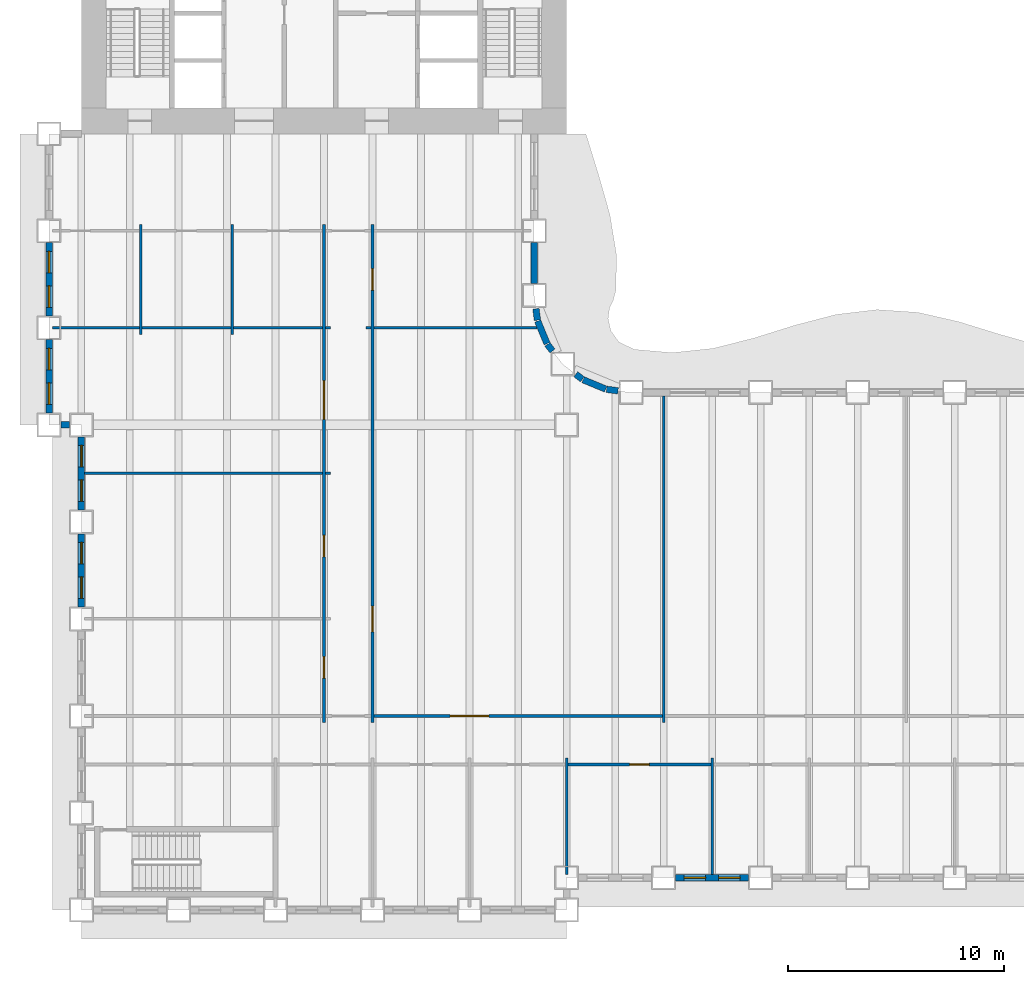
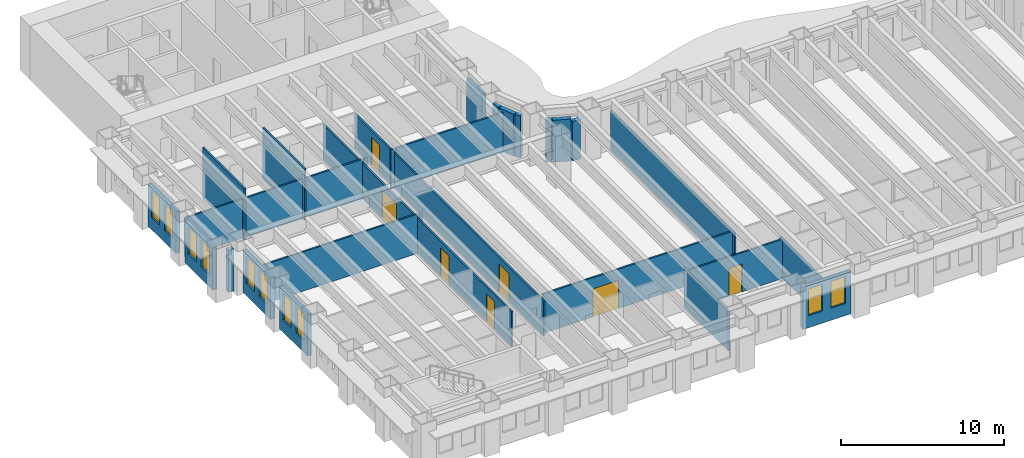
# One storey, part 4 of 16: 30 walls, 10 windows, 7 doors, 17 openings.
"""IFC4 building model written with IfcOpenShell, lengths in metres."""

from ifc_helpers import new_model, si_unit, direction, frame, frame_2d, origin, place, context, subcontext, project, spatial, rectangle, extrude, material, layer, layer_set, type_object, element, fill, save


model = new_model("IFC4")

# Units and contexts
model_context = context("Model", 3, precision=1e-05, world=origin(), true_north=direction((0.0, 1.0)))
body_context = subcontext(model_context, "Body", "Model", "MODEL_VIEW")
ifc_project = project(units=[si_unit("LENGTHUNIT", "METRE"), si_unit("AREAUNIT", "SQUARE_METRE"), si_unit("VOLUMEUNIT", "CUBIC_METRE"), si_unit("PLANEANGLEUNIT", "RADIAN"), si_unit("MASSUNIT", "GRAM", prefix="KILO")], contexts=[model_context])

# Site, building, storey
site_placement = place(None, origin())
site = spatial("IfcSite", under=ifc_project, at=site_placement, CompositionType="ELEMENT")
building_placement = place(site_placement, origin())
building = spatial("IfcBuilding", under=site, at=building_placement, Name="Sennacour Bend Tower", CompositionType="ELEMENT")
storey_placement = place(building_placement, frame((0.0, 0.0, 57.0)))
storey = spatial("IfcBuildingStorey", under=building, at=storey_placement, Name="L12", CompositionType="ELEMENT", Elevation=57.0)

# Walls
ifc_material_1 = material(Name="Plasterboard partition on steel studs", Category="steel")
ifc_layer_1 = layer(ifc_material_1, 0.1201171875, Name="Plasterboard partition on steel studs", Category="steel")
ifc_layer_set_1 = layer_set([ifc_layer_1], Name="Plasterboard partition on steel studs")
wall_type_1 = type_object("IfcWallType", Name="Partition 120", PredefinedType="PARTITIONING", material=ifc_layer_set_1)
for number, where, z_axis, x_axis, name in (
    (1, (2.75, 26.699951171875, 0.0), (0.0, 0.0, 1.0), (0.0, 1.0, 0.0), "P-L12-W004a"),
    (2, (7.0, 26.699951171875, 0.0), (0.0, 0.0, 1.0), (0.0, 1.0, 0.0), "P-L12-W008a"),
):
    element("IfcWall", number, at=place(storey_placement, frame(where, z_axis=z_axis, x_axis=x_axis)), inside=storey, type_object=wall_type_1, Name=name, PredefinedType="PARTITIONING", context=body_context, shape_type="SweptSolid", body=[
        extrude(rectangle(XDim=5.10009765625, YDim=0.1201171875, at=frame_2d((2.550048828125, 0.0))), origin(), (0.0, 0.0, 1.0), 3.85009765625),
    ])

# Wall, openings, doors
wall_1_placement = place(storey_placement, frame((11.25, 8.699951171875, 0.0), z_axis=(0.0, 0.0, 1.0), x_axis=(0.0, 1.0, 0.0)))
wall_1 = element("IfcWall", 3, at=wall_1_placement, inside=storey, type_object=wall_type_1, Name="P-L12-W013a", PredefinedType="PARTITIONING", context=body_context, shape_type="SweptSolid", body=[
    extrude(rectangle(XDim=23.10009765625, YDim=0.1201171875, at=frame_2d((11.550048828125, 0.0))), origin(), (0.0, 0.0, 1.0), 2.60009765625),
])
opening_1_placement = place(wall_1_placement, frame((2.050048828125, 0.0, 0.0)))
opening_1 = element("IfcOpeningElement", 4, at=opening_1_placement, cuts=wall_1, Name="Opening OD2", PredefinedType="OPENING", context=body_context, shape_type="SweptSolid", body=[
    extrude(rectangle(XDim=1.0, YDim=2.10009765625, at=frame_2d((0.5, 1.050048828125))), frame((0.0, 0.070068359375, 0.0), z_axis=(0.0, -1.0, 0.0), x_axis=(1.0, 0.0, 0.0)), (0.0, 0.0, 1.0), 0.14013671875),
])
opening_2_placement = place(wall_1_placement, frame((7.675048828125, 0.0, 0.0)))
opening_2 = element("IfcOpeningElement", 5, at=opening_2_placement, cuts=wall_1, Name="Opening OD2", PredefinedType="OPENING", context=body_context, shape_type="SweptSolid", body=[
    extrude(rectangle(XDim=1.0, YDim=2.10009765625, at=frame_2d((0.5, 1.050048828125))), frame((0.0, 0.070068359375, 0.0), z_axis=(0.0, -1.0, 0.0), x_axis=(1.0, 0.0, 0.0)), (0.0, 0.0, 1.0), 0.14013671875),
])
opening_3_placement = place(wall_1_placement, frame((14.054931640625, 0.0, 0.0)))
opening_3 = element("IfcOpeningElement", 6, at=opening_3_placement, cuts=wall_1, Name="Opening OD3", PredefinedType="OPENING", context=body_context, shape_type="SweptSolid", body=[
    extrude(rectangle(XDim=1.800048828125, YDim=2.10009765625, at=frame_2d((0.89990234375, 1.050048828125))), frame((0.0, 0.070068359375, 0.0), z_axis=(0.0, -1.0, 0.0), x_axis=(1.0, 0.0, 0.0)), (0.0, 0.0, 1.0), 0.14013671875),
])
ifc_material_2 = material(Name="Timber", Category="wood")
door_type_1 = type_object("IfcDoorType", Name="DR-OFFICE-1000", OperationType="NOTDEFINED", PredefinedType="DOOR", material=ifc_material_2)
door_1_placement = place(opening_1_placement, origin())
door_1 = element("IfcDoor", 7, at=door_1_placement, inside=storey, type_object=door_type_1, Name="Door", OperationType="SINGLE_SWING_LEFT", OverallHeight=2.10009765625, OverallWidth=1.0, PredefinedType="DOOR", context=body_context, shape_type="SweptSolid", body=[
    extrude(rectangle(XDim=1.0, YDim=2.10009765625, at=frame_2d((0.5, 1.050048828125))), frame((0.0, 0.02490234375, 0.0), z_axis=(0.0, -1.0, 0.0), x_axis=(1.0, 0.0, 0.0)), (0.0, 0.0, 1.0), 0.050048828125),
])
fill(opening_1, door_1)
door_2_placement = place(opening_2_placement, origin())
door_2 = element("IfcDoor", 8, at=door_2_placement, inside=storey, type_object=door_type_1, Name="Door", OperationType="SINGLE_SWING_LEFT", OverallHeight=2.10009765625, OverallWidth=1.0, PredefinedType="DOOR", context=body_context, shape_type="SweptSolid", body=[
    extrude(rectangle(XDim=1.0, YDim=2.10009765625, at=frame_2d((0.5, 1.050048828125))), frame((0.0, 0.02490234375, 0.0), z_axis=(0.0, -1.0, 0.0), x_axis=(1.0, 0.0, 0.0)), (0.0, 0.0, 1.0), 0.050048828125),
])
fill(opening_2, door_2)
door_type_2 = type_object("IfcDoorType", Name="DR-OFFICE-1800", OperationType="NOTDEFINED", PredefinedType="DOOR", material=ifc_material_2)
door_3_placement = place(opening_3_placement, origin())
door_3 = element("IfcDoor", 9, at=door_3_placement, inside=storey, type_object=door_type_2, Name="Door", OperationType="DOUBLE_DOOR_SINGLE_SWING", OverallHeight=2.10009765625, OverallWidth=1.800048828125, PredefinedType="DOOR", context=body_context, shape_type="SweptSolid", body=[
    extrude(rectangle(XDim=1.800048828125, YDim=2.10009765625, at=frame_2d((0.89990234375, 1.050048828125))), frame((0.0, 0.02490234375, 0.0), z_axis=(0.0, -1.0, 0.0), x_axis=(1.0, 0.0, 0.0)), (0.0, 0.0, 1.0), 0.050048828125),
])
fill(opening_3, door_3)

wall_2_placement = place(storey_placement, frame((13.5, 8.699951171875, 0.0), z_axis=(0.0, 0.0, 1.0), x_axis=(0.0, 1.0, 0.0)))
wall_2 = element("IfcWall", 10, at=wall_2_placement, inside=storey, type_object=wall_type_1, Name="P-L12-W016a", PredefinedType="PARTITIONING", context=body_context, shape_type="SweptSolid", body=[
    extrude(rectangle(XDim=23.10009765625, YDim=0.1201171875, at=frame_2d((11.550048828125, 0.0))), origin(), (0.0, 0.0, 1.0), 2.60009765625),
])
opening_4_placement = place(wall_2_placement, frame((20.050048828125, 0.0, 0.0)))
opening_4 = element("IfcOpeningElement", 11, at=opening_4_placement, cuts=wall_2, Name="Opening OD2", PredefinedType="OPENING", context=body_context, shape_type="SweptSolid", body=[
    extrude(rectangle(XDim=1.0, YDim=2.10009765625, at=frame_2d((0.5, 1.050048828125))), frame((0.0, 0.070068359375, 0.0), z_axis=(0.0, -1.0, 0.0), x_axis=(1.0, 0.0, 0.0)), (0.0, 0.0, 1.0), 0.14013671875),
])
opening_5_placement = place(wall_2_placement, frame((4.199951171875, 0.0, 0.0)))
opening_5 = element("IfcOpeningElement", 12, at=opening_5_placement, cuts=wall_2, Name="Opening MD", PredefinedType="OPENING", context=body_context, shape_type="SweptSolid", body=[
    extrude(rectangle(XDim=1.199951171875, YDim=2.10009765625, at=frame_2d((0.60009765625, 1.050048828125))), frame((0.0, 0.070068359375, 0.0), z_axis=(0.0, -1.0, 0.0), x_axis=(1.0, 0.0, 0.0)), (0.0, 0.0, 1.0), 0.14013671875),
])
door_type_3 = type_object("IfcDoorType", Name="DR-MEETING-1200", OperationType="NOTDEFINED", PredefinedType="DOOR", material=ifc_material_2)
door_4_placement = place(opening_5_placement, origin())
door_4 = element("IfcDoor", 13, at=door_4_placement, inside=storey, type_object=door_type_3, Name="Door", OperationType="SINGLE_SWING_LEFT", OverallHeight=2.10009765625, OverallWidth=1.199951171875, PredefinedType="DOOR", context=body_context, shape_type="SweptSolid", body=[
    extrude(rectangle(XDim=1.199951171875, YDim=2.10009765625, at=frame_2d((0.60009765625, 1.050048828125))), frame((0.0, 0.02490234375, 0.0), z_axis=(0.0, -1.0, 0.0), x_axis=(1.0, 0.0, 0.0)), (0.0, 0.0, 1.0), 0.050048828125),
])
fill(opening_5, door_4)
door_5_placement = place(opening_4_placement, origin())
door_5 = element("IfcDoor", 14, at=door_5_placement, inside=storey, type_object=door_type_1, Name="Door", OperationType="SINGLE_SWING_RIGHT", OverallHeight=2.10009765625, OverallWidth=1.0, PredefinedType="DOOR", context=body_context, shape_type="SweptSolid", body=[
    extrude(rectangle(XDim=1.0, YDim=2.10009765625, at=frame_2d((0.5, 1.050048828125))), frame((0.0, 0.02490234375, 0.0), z_axis=(0.0, -1.0, 0.0), x_axis=(1.0, 0.0, 0.0)), (0.0, 0.0, 1.0), 0.050048828125),
])
fill(opening_4, door_5)

# Walls
wall_3_placement = place(storey_placement, frame((22.5, 1.64990234375, 0.0), z_axis=(0.0, 0.0, 1.0), x_axis=(0.0, 1.0, 0.0)))
element("IfcWall", 15, at=wall_3_placement, inside=storey, type_object=wall_type_1, Name="P-L12-W026a", PredefinedType="PARTITIONING", context=body_context, shape_type="SweptSolid", body=[
    extrude(rectangle(XDim=5.400146484375, YDim=0.1201171875, at=frame_2d((2.7001953125, 0.0))), origin(), (0.0, 0.0, 1.0), 2.93798828125),
])
wall_4_placement = place(storey_placement, frame((27.0, 8.699951171875, 0.0), z_axis=(0.0, 0.0, 1.0), x_axis=(0.0, 1.0, 0.0)))
element("IfcWall", 16, at=wall_4_placement, inside=storey, type_object=wall_type_1, Name="P-L12-W027a", PredefinedType="PARTITIONING", context=body_context, shape_type="SweptSolid", body=[
    extrude(rectangle(XDim=15.150146484375, YDim=0.1201171875, at=frame_2d((7.5751953125, 0.0))), origin(), (0.0, 0.0, 1.0), 2.93798828125),
])
wall_5_placement = place(storey_placement, frame((29.25, 1.64990234375, 0.0), z_axis=(0.0, 0.0, 1.0), x_axis=(0.0, 1.0, 0.0)))
element("IfcWall", 17, at=wall_5_placement, inside=storey, type_object=wall_type_1, Name="P-L12-W028a", PredefinedType="PARTITIONING", context=body_context, shape_type="SweptSolid", body=[
    extrude(rectangle(XDim=5.400146484375, YDim=0.1201171875, at=frame_2d((2.7001953125, 0.0))), origin(), (0.0, 0.0, 1.0), 2.93798828125),
])

# Wall, opening, door
wall_6_placement = place(storey_placement, frame((13.56005859375, 9.0, 0.0), z_axis=(0.0, 0.0, 1.0), x_axis=(1.0, 0.0, 0.0)))
wall_6 = element("IfcWall", 18, at=wall_6_placement, inside=storey, type_object=wall_type_1, Name="P-L12-W058ac", PredefinedType="PARTITIONING", context=body_context, shape_type="SweptSolid", body=[
    extrude(rectangle(XDim=13.3798828125, YDim=0.1201171875, at=frame_2d((6.68994140625, 0.0))), origin(), (0.0, 0.0, 1.0), 2.93798828125),
])
opening_6_placement = place(wall_6_placement, frame((3.539794921875, 0.0, 0.0)))
opening_6 = element("IfcOpeningElement", 19, at=opening_6_placement, cuts=wall_6, Name="Opening MD3", PredefinedType="OPENING", context=body_context, shape_type="SweptSolid", body=[
    extrude(rectangle(XDim=1.800048828125, YDim=2.10009765625, at=frame_2d((0.89990234375, 1.050048828125))), frame((0.0, 0.070068359375, 0.0), z_axis=(0.0, -1.0, 0.0), x_axis=(1.0, 0.0, 0.0)), (0.0, 0.0, 1.0), 0.14013671875),
])
door_type_4 = type_object("IfcDoorType", Name="DR-MEETING-1800", OperationType="NOTDEFINED", PredefinedType="DOOR", material=ifc_material_2)
door_6_placement = place(opening_6_placement, origin())
door_6 = element("IfcDoor", 20, at=door_6_placement, inside=storey, type_object=door_type_4, Name="Door", OperationType="DOUBLE_DOOR_SINGLE_SWING", OverallHeight=2.10009765625, OverallWidth=1.800048828125, PredefinedType="DOOR", context=body_context, shape_type="SweptSolid", body=[
    extrude(rectangle(XDim=1.800048828125, YDim=2.10009765625, at=frame_2d((0.89990234375, 1.050048828125))), frame((0.0, 0.02490234375, 0.0), z_axis=(0.0, -1.0, 0.0), x_axis=(1.0, 0.0, 0.0)), (0.0, 0.0, 1.0), 0.050048828125),
])
fill(opening_6, door_6)

# Walls
wall_7_placement = place(storey_placement, frame((0.14990234375, 20.25, 0.0), z_axis=(0.0, 0.0, 1.0), x_axis=(1.0, 0.0, 0.0)))
element("IfcWall", 21, at=wall_7_placement, inside=storey, type_object=wall_type_1, Name="P-L12-W069aa", PredefinedType="PARTITIONING", context=body_context, shape_type="SweptSolid", body=[
    extrude(rectangle(XDim=11.0400390625, YDim=0.1201171875, at=frame_2d((5.52001953125, 0.0))), origin(), (0.0, 0.0, 1.0), 2.93798828125),
])
wall_8_placement = place(storey_placement, frame((11.31005859375, 20.25, 0.0), z_axis=(0.0, 0.0, 1.0), x_axis=(1.0, 0.0, 0.0)))
element("IfcWall", 22, at=wall_8_placement, inside=storey, type_object=wall_type_1, Name="P-L12-W069ab", PredefinedType="PARTITIONING", context=body_context, shape_type="SweptSolid", body=[
    extrude(rectangle(XDim=0.239990234375, YDim=0.1201171875, at=frame_2d((0.1201171875, 0.0))), origin(), (0.0, 0.0, 1.0), 2.93798828125),
])
wall_9_placement = place(storey_placement, frame((-1.35009765625, 27.0, 0.0), z_axis=(0.0, 0.0, 1.0), x_axis=(1.0, 0.0, 0.0)))
element("IfcWall", 23, at=wall_9_placement, inside=storey, type_object=wall_type_1, Name="P-L12-W071aa", PredefinedType="PARTITIONING", context=body_context, shape_type="SweptSolid", body=[
    extrude(rectangle(XDim=4.0400390625, YDim=0.1201171875, at=frame_2d((2.02001953125, 0.0))), origin(), (0.0, 0.0, 1.0), 2.93798828125),
])
for number, where, z_axis, x_axis, name in (
    (24, (2.81005859375, 27.0, 0.0), (0.0, 0.0, 1.0), (1.0, 0.0, 0.0), "P-L12-W071ab"),
    (25, (7.06005859375, 27.0, 0.0), (0.0, 0.0, 1.0), (1.0, 0.0, 0.0), "P-L12-W071ac"),
):
    element("IfcWall", number, at=place(storey_placement, frame(where, z_axis=z_axis, x_axis=x_axis)), inside=storey, type_object=wall_type_1, Name=name, PredefinedType="PARTITIONING", context=body_context, shape_type="SweptSolid", body=[
        extrude(rectangle(XDim=4.1298828125, YDim=0.1201171875, at=frame_2d((2.06494140625, 0.0))), origin(), (0.0, 0.0, 1.0), 2.93798828125),
    ])
for number, where, z_axis, x_axis, name in (
    (26, (11.31005859375, 27.0, 0.0), (0.0, 0.0, 1.0), (1.0, 0.0, 0.0), "P-L12-W071ad"),
    (27, (13.199951171875, 27.0, 0.0), (0.0, 0.0, 1.0), (1.0, 0.0, 0.0), "P-L12-W072aa"),
):
    element("IfcWall", number, at=place(storey_placement, frame(where, z_axis=z_axis, x_axis=x_axis)), inside=storey, type_object=wall_type_1, Name=name, PredefinedType="PARTITIONING", context=body_context, shape_type="SweptSolid", body=[
        extrude(rectangle(XDim=0.239990234375, YDim=0.1201171875, at=frame_2d((0.1201171875, 0.0))), origin(), (0.0, 0.0, 1.0), 2.93798828125),
    ])
wall_10_placement = place(storey_placement, frame((13.56005859375, 27.0, 0.0), z_axis=(0.0, 0.0, 1.0), x_axis=(1.0, 0.0, 0.0)))
element("IfcWall", 28, at=wall_10_placement, inside=storey, type_object=wall_type_1, Name="P-L12-W072ab", PredefinedType="PARTITIONING", context=body_context, shape_type="SweptSolid", body=[
    extrude(rectangle(XDim=7.56982421875, YDim=0.1201171875, at=frame_2d((3.784912109375, 0.0))), origin(), (0.0, 0.0, 1.0), 2.93798828125),
])

# Wall, opening, door
ifc_layer_2 = layer(ifc_material_1, 0.1201171875, Name="Plasterboard partition on steel studs", Category="steel")
ifc_layer_set_2 = layer_set([ifc_layer_2], Name="Plasterboard partition on steel studs")
wall_type_2 = type_object("IfcWallType", Name="Partition 120 EI 60", PredefinedType="PARTITIONING", material=ifc_layer_set_2)
wall_11_placement = place(storey_placement, frame((22.56005859375, 6.75, 0.0), z_axis=(0.0, 0.0, 1.0), x_axis=(1.0, 0.0, 0.0)))
wall_11 = element("IfcWall", 29, at=wall_11_placement, inside=storey, type_object=wall_type_2, Name="P-L12-W057ae", PredefinedType="PARTITIONING", context=body_context, shape_type="SweptSolid", body=[
    extrude(rectangle(XDim=6.6298828125, YDim=0.1201171875, at=frame_2d((3.31494140625, 0.0))), origin(), (0.0, 0.0, 1.0), 2.93798828125),
])
opening_7_placement = place(wall_11_placement, frame((2.864990234375, 0.0, 0.0)))
opening_7 = element("IfcOpeningElement", 30, at=opening_7_placement, cuts=wall_11, Name="Opening SV", PredefinedType="OPENING", context=body_context, shape_type="SweptSolid", body=[
    extrude(rectangle(XDim=0.89990234375, YDim=2.10009765625, at=frame_2d((0.449951171875, 1.050048828125))), frame((0.0, 0.070068359375, 0.0), z_axis=(0.0, -1.0, 0.0), x_axis=(1.0, 0.0, 0.0)), (0.0, 0.0, 1.0), 0.14013671875),
])
ifc_material_3 = material(Name="Painted steel", Category="steel")
door_type_5 = type_object("IfcDoorType", Name="DR-SERVICE-900", OperationType="NOTDEFINED", PredefinedType="DOOR", material=ifc_material_3)
door_7_placement = place(opening_7_placement, origin())
door_7 = element("IfcDoor", 31, at=door_7_placement, inside=storey, type_object=door_type_5, Name="Door", OperationType="SINGLE_SWING_LEFT", OverallHeight=2.10009765625, OverallWidth=0.89990234375, PredefinedType="DOOR", context=body_context, shape_type="SweptSolid", body=[
    extrude(rectangle(XDim=0.89990234375, YDim=2.10009765625, at=frame_2d((0.449951171875, 1.050048828125))), frame((0.0, 0.02490234375, 0.0), z_axis=(0.0, -1.0, 0.0), x_axis=(1.0, 0.0, 0.0)), (0.0, 0.0, 1.0), 0.050048828125),
])
fill(opening_7, door_7)

# Wall, openings, windows
ifc_material_4 = material(Name="Warm limestone cladding", Category="masonry")
ifc_layer_3 = layer(ifc_material_4, 0.050048828125, Name="Warm limestone cladding", Category="masonry")
ifc_material_5 = material(Name="Precast concrete C40/50", Category="concrete")
ifc_layer_4 = layer(ifc_material_5, 0.25, Name="Precast concrete C40/50", Category="concrete")
ifc_layer_set_3 = layer_set([ifc_layer_3, ifc_layer_4], Name="Precast concrete C40/50 with limestone cladding")
wall_type_3 = type_object("IfcWallType", Name="STONE-CLAD PRECAST SPANDREL 300", PredefinedType="STANDARD", material=ifc_layer_set_3)
wall_12_placement = place(storey_placement, frame((27.550048828125, 1.5, 0.0), z_axis=(0.0, 0.0, 1.0), x_axis=(1.0, 0.0, 0.0)))
wall_12 = element("IfcWall", 32, at=wall_12_placement, inside=storey, type_object=wall_type_3, Name="Stone spandrel and pier wall L12 02.01", PredefinedType="STANDARD", context=body_context, shape_type="SweptSolid", body=[
    extrude(rectangle(XDim=3.39990234375, YDim=0.300048828125, at=frame_2d((1.699951171875, 0.0))), origin(), (0.0, 0.0, 1.0), 3.14404296875),
])
opening_8_placement = place(wall_12_placement, frame((0.39990234375, 0.0, 0.89990234375)))
opening_8 = element("IfcOpeningElement", 33, at=opening_8_placement, cuts=wall_12, Name="Opening W8", PredefinedType="OPENING", context=body_context, shape_type="SweptSolid", body=[
    extrude(rectangle(XDim=1.0, YDim=2.0, at=frame_2d((0.5, 1.0))), frame((0.0, 0.16015625, 0.0), z_axis=(0.0, -1.0, 0.0), x_axis=(1.0, 0.0, 0.0)), (0.0, 0.0, 1.0), 0.320068359375),
])
opening_9_placement = place(wall_12_placement, frame((2.0, 0.0, 0.89990234375)))
opening_9 = element("IfcOpeningElement", 34, at=opening_9_placement, cuts=wall_12, Name="Opening W8", PredefinedType="OPENING", context=body_context, shape_type="SweptSolid", body=[
    extrude(rectangle(XDim=1.0, YDim=2.0, at=frame_2d((0.5, 1.0))), frame((0.0, 0.16015625, 0.0), z_axis=(0.0, -1.0, 0.0), x_axis=(1.0, 0.0, 0.0)), (0.0, 0.0, 1.0), 0.320068359375),
])
ifc_material_6 = material(Name="Clear low-emissivity glass", Category="glass")
window_type = type_object("IfcWindowType", Name="WIN-RIBBON-1000x2000", PartitioningType="SINGLE_PANEL", PredefinedType="WINDOW", material=ifc_material_6)
window_1_placement = place(opening_8_placement, origin())
window_1 = element("IfcWindow", 35, at=window_1_placement, inside=storey, type_object=window_type, Name="Ribbon window L12 02.01.0", OverallHeight=2.0, OverallWidth=1.0, PartitioningType="SINGLE_PANEL", PredefinedType="WINDOW", context=body_context, shape_type="SweptSolid", body=[
    extrude(rectangle(XDim=1.0, YDim=2.0, at=frame_2d((0.5, 1.0))), frame((0.0, 0.030029296875, 0.0), z_axis=(0.0, -1.0, 0.0), x_axis=(1.0, 0.0, 0.0)), (0.0, 0.0, 1.0), 0.06005859375),
])
fill(opening_8, window_1)
window_2_placement = place(opening_9_placement, origin())
window_2 = element("IfcWindow", 36, at=window_2_placement, inside=storey, type_object=window_type, Name="Ribbon window L12 02.01.1", OverallHeight=2.0, OverallWidth=1.0, PartitioningType="SINGLE_PANEL", PredefinedType="WINDOW", context=body_context, shape_type="SweptSolid", body=[
    extrude(rectangle(XDim=1.0, YDim=2.0, at=frame_2d((0.5, 1.0))), frame((0.0, 0.030029296875, 0.0), z_axis=(0.0, -1.0, 0.0), x_axis=(1.0, 0.0, 0.0)), (0.0, 0.0, 1.0), 0.06005859375),
])
fill(opening_9, window_2)

# Walls
wall_13_placement = place(storey_placement, frame((24.88818359375, 24.08056640625, 0.0), z_axis=(0.0, 0.0, 1.0), x_axis=(-0.991417173479, 0.130736330569, 0.0)))
element("IfcWall", 37, at=wall_13_placement, inside=storey, type_object=wall_type_3, Name="Stone spandrel and pier wall L12 09.00", PredefinedType="STANDARD", context=body_context, shape_type="SweptSolid", body=[
    extrude(rectangle(XDim=0.537841796875, YDim=0.300048828125, at=frame_2d((0.26904296875, 0.0))), origin(), (0.0, 0.0, 1.0), 2.93798828125),
])
wall_14_placement = place(storey_placement, frame((24.317138671875, 24.160888671875, 0.0), z_axis=(0.0, 0.0, 1.0), x_axis=(-0.923914616768, 0.382598720491, 0.0)))
element("IfcWall", 38, at=wall_14_placement, inside=storey, type_object=wall_type_3, Name="Stone spandrel and pier wall L12 10.00", PredefinedType="STANDARD", context=body_context, shape_type="SweptSolid", body=[
    extrude(rectangle(XDim=1.13525390625, YDim=0.300048828125, at=frame_2d((0.567626953125, 0.0))), origin(), (0.0, 0.0, 1.0), 3.14404296875),
])
for number, where, z_axis, x_axis, name in (
    (39, (23.234375, 24.614990234375, 0.0), (0.0, 0.0, 1.0), (-0.79354495224, 0.60851163405, 0.0), "Stone spandrel and pier wall L12 11.00"),
    (40, (21.8486328125, 25.9296875, 0.0), (0.0, 0.0, 1.0), (-0.60851163405, 0.79354495224, 0.0), "Stone spandrel and pier wall L12 12.00"),
):
    element("IfcWall", number, at=place(storey_placement, frame(where, z_axis=z_axis, x_axis=x_axis)), inside=storey, type_object=wall_type_3, Name=name, PredefinedType="STANDARD", context=body_context, shape_type="SweptSolid", body=[
        extrude(rectangle(XDim=0.384033203125, YDim=0.300048828125, at=frame_2d((0.19189453125, 0.0))), origin(), (0.0, 0.0, 1.0), 3.14404296875),
    ])
wall_15_placement = place(storey_placement, frame((21.59521484375, 26.268310546875, 0.0), z_axis=(0.0, 0.0, 1.0), x_axis=(-0.382598720491, 0.923914616768, 0.0)))
element("IfcWall", 41, at=wall_15_placement, inside=storey, type_object=wall_type_3, Name="Stone spandrel and pier wall L12 13.00", PredefinedType="STANDARD", context=body_context, shape_type="SweptSolid", body=[
    extrude(rectangle(XDim=1.13525390625, YDim=0.300048828125, at=frame_2d((0.567626953125, 0.0))), origin(), (0.0, 0.0, 1.0), 3.14404296875),
])
wall_16_placement = place(storey_placement, frame((21.15087890625, 27.35498046875, 0.0), z_axis=(0.0, 0.0, 1.0), x_axis=(-0.130736330569, 0.991417173479, 0.0)))
element("IfcWall", 42, at=wall_16_placement, inside=storey, type_object=wall_type_3, Name="Stone spandrel and pier wall L12 14.00", PredefinedType="STANDARD", context=body_context, shape_type="SweptSolid", body=[
    extrude(rectangle(XDim=0.537841796875, YDim=0.300048828125, at=frame_2d((0.26904296875, 0.0))), origin(), (0.0, 0.0, 1.0), 3.14404296875),
])
wall_17_placement = place(storey_placement, frame((21.0, 29.050048828125, 0.0), z_axis=(0.0, 0.0, 1.0), x_axis=(0.0, 1.0, 0.0)))
element("IfcWall", 43, at=wall_17_placement, inside=storey, type_object=wall_type_3, Name="Stone spandrel and pier wall L12 15.00", PredefinedType="STANDARD", context=body_context, shape_type="SweptSolid", body=[
    extrude(rectangle(XDim=1.89990234375, YDim=0.300048828125, at=frame_2d((0.949951171875, 0.0))), origin(), (0.0, 0.0, 1.0), 3.14404296875),
])

# Wall, openings, windows
wall_18_placement = place(storey_placement, frame((-1.5, 30.949951171875, 0.0), z_axis=(0.0, 0.0, 1.0), x_axis=(0.0, -1.0, 0.0)))
wall_18 = element("IfcWall", 44, at=wall_18_placement, inside=storey, type_object=wall_type_3, Name="Stone spandrel and pier wall L12 21.01", PredefinedType="STANDARD", context=body_context, shape_type="SweptSolid", body=[
    extrude(rectangle(XDim=3.39990234375, YDim=0.300048828125, at=frame_2d((1.699951171875, 0.0))), origin(), (0.0, 0.0, 1.0), 3.14404296875),
])
opening_10_placement = place(wall_18_placement, frame((0.39990234375, 0.0, 0.89990234375)))
opening_10 = element("IfcOpeningElement", 45, at=opening_10_placement, cuts=wall_18, Name="Opening W8", PredefinedType="OPENING", context=body_context, shape_type="SweptSolid", body=[
    extrude(rectangle(XDim=1.0, YDim=2.0, at=frame_2d((0.5, 1.0))), frame((0.0, 0.16015625, 0.0), z_axis=(0.0, -1.0, 0.0), x_axis=(1.0, 0.0, 0.0)), (0.0, 0.0, 1.0), 0.320068359375),
])
opening_11_placement = place(wall_18_placement, frame((2.0, 0.0, 0.89990234375)))
opening_11 = element("IfcOpeningElement", 46, at=opening_11_placement, cuts=wall_18, Name="Opening W8", PredefinedType="OPENING", context=body_context, shape_type="SweptSolid", body=[
    extrude(rectangle(XDim=1.0, YDim=2.0, at=frame_2d((0.5, 1.0))), frame((0.0, 0.16015625, 0.0), z_axis=(0.0, -1.0, 0.0), x_axis=(1.0, 0.0, 0.0)), (0.0, 0.0, 1.0), 0.320068359375),
])
window_3_placement = place(opening_10_placement, origin())
window_3 = element("IfcWindow", 47, at=window_3_placement, inside=storey, type_object=window_type, Name="Ribbon window L12 21.01.0", OverallHeight=2.0, OverallWidth=1.0, PartitioningType="SINGLE_PANEL", PredefinedType="WINDOW", context=body_context, shape_type="SweptSolid", body=[
    extrude(rectangle(XDim=1.0, YDim=2.0, at=frame_2d((0.5, 1.0))), frame((0.0, 0.030029296875, 0.0), z_axis=(0.0, -1.0, 0.0), x_axis=(1.0, 0.0, 0.0)), (0.0, 0.0, 1.0), 0.06005859375),
])
fill(opening_10, window_3)
window_4_placement = place(opening_11_placement, origin())
window_4 = element("IfcWindow", 48, at=window_4_placement, inside=storey, type_object=window_type, Name="Ribbon window L12 21.01.1", OverallHeight=2.0, OverallWidth=1.0, PartitioningType="SINGLE_PANEL", PredefinedType="WINDOW", context=body_context, shape_type="SweptSolid", body=[
    extrude(rectangle(XDim=1.0, YDim=2.0, at=frame_2d((0.5, 1.0))), frame((0.0, 0.030029296875, 0.0), z_axis=(0.0, -1.0, 0.0), x_axis=(1.0, 0.0, 0.0)), (0.0, 0.0, 1.0), 0.06005859375),
])
fill(opening_11, window_4)

wall_19_placement = place(storey_placement, frame((-1.5, 26.449951171875, 0.0), z_axis=(0.0, 0.0, 1.0), x_axis=(0.0, -1.0, 0.0)))
wall_19 = element("IfcWall", 49, at=wall_19_placement, inside=storey, type_object=wall_type_3, Name="Stone spandrel and pier wall L12 21.02", PredefinedType="STANDARD", context=body_context, shape_type="SweptSolid", body=[
    extrude(rectangle(XDim=3.39990234375, YDim=0.300048828125, at=frame_2d((1.699951171875, 0.0))), origin(), (0.0, 0.0, 1.0), 3.14404296875),
])
opening_12_placement = place(wall_19_placement, frame((0.39990234375, 0.0, 0.89990234375)))
opening_12 = element("IfcOpeningElement", 50, at=opening_12_placement, cuts=wall_19, Name="Opening W8", PredefinedType="OPENING", context=body_context, shape_type="SweptSolid", body=[
    extrude(rectangle(XDim=1.0, YDim=2.0, at=frame_2d((0.5, 1.0))), frame((0.0, 0.16015625, 0.0), z_axis=(0.0, -1.0, 0.0), x_axis=(1.0, 0.0, 0.0)), (0.0, 0.0, 1.0), 0.320068359375),
])
opening_13_placement = place(wall_19_placement, frame((2.0, 0.0, 0.89990234375)))
opening_13 = element("IfcOpeningElement", 51, at=opening_13_placement, cuts=wall_19, Name="Opening W8", PredefinedType="OPENING", context=body_context, shape_type="SweptSolid", body=[
    extrude(rectangle(XDim=1.0, YDim=2.0, at=frame_2d((0.5, 1.0))), frame((0.0, 0.16015625, 0.0), z_axis=(0.0, -1.0, 0.0), x_axis=(1.0, 0.0, 0.0)), (0.0, 0.0, 1.0), 0.320068359375),
])
window_5_placement = place(opening_12_placement, origin())
window_5 = element("IfcWindow", 52, at=window_5_placement, inside=storey, type_object=window_type, Name="Ribbon window L12 21.02.0", OverallHeight=2.0, OverallWidth=1.0, PartitioningType="SINGLE_PANEL", PredefinedType="WINDOW", context=body_context, shape_type="SweptSolid", body=[
    extrude(rectangle(XDim=1.0, YDim=2.0, at=frame_2d((0.5, 1.0))), frame((0.0, 0.030029296875, 0.0), z_axis=(0.0, -1.0, 0.0), x_axis=(1.0, 0.0, 0.0)), (0.0, 0.0, 1.0), 0.06005859375),
])
fill(opening_12, window_5)
window_6_placement = place(opening_13_placement, origin())
window_6 = element("IfcWindow", 53, at=window_6_placement, inside=storey, type_object=window_type, Name="Ribbon window L12 21.02.1", OverallHeight=2.0, OverallWidth=1.0, PartitioningType="SINGLE_PANEL", PredefinedType="WINDOW", context=body_context, shape_type="SweptSolid", body=[
    extrude(rectangle(XDim=1.0, YDim=2.0, at=frame_2d((0.5, 1.0))), frame((0.0, 0.030029296875, 0.0), z_axis=(0.0, -1.0, 0.0), x_axis=(1.0, 0.0, 0.0)), (0.0, 0.0, 1.0), 0.06005859375),
])
fill(opening_13, window_6)

# Wall
wall_20_placement = place(storey_placement, frame((-0.949951171875, 22.5, 0.0), z_axis=(0.0, 0.0, 1.0), x_axis=(1.0, 0.0, 0.0)))
element("IfcWall", 54, at=wall_20_placement, inside=storey, type_object=wall_type_3, Name="Stone spandrel and pier wall L12 22.00", PredefinedType="STANDARD", context=body_context, shape_type="SweptSolid", body=[
    extrude(rectangle(XDim=0.39990234375, YDim=0.300048828125, at=frame_2d((0.199951171875, 0.0))), origin(), (0.0, 0.0, 1.0), 3.14404296875),
])

# Wall, openings, windows
wall_21_placement = place(storey_placement, frame((0.0, 21.949951171875, 0.0), z_axis=(0.0, 0.0, 1.0), x_axis=(0.0, -1.0, 0.0)))
wall_21 = element("IfcWall", 55, at=wall_21_placement, inside=storey, type_object=wall_type_3, Name="Stone spandrel and pier wall L12 23.00", PredefinedType="STANDARD", context=body_context, shape_type="SweptSolid", body=[
    extrude(rectangle(XDim=3.39990234375, YDim=0.300048828125, at=frame_2d((1.699951171875, 0.0))), origin(), (0.0, 0.0, 1.0), 3.14404296875),
])
opening_14_placement = place(wall_21_placement, frame((0.39990234375, 0.0, 0.89990234375)))
opening_14 = element("IfcOpeningElement", 56, at=opening_14_placement, cuts=wall_21, Name="Opening W8", PredefinedType="OPENING", context=body_context, shape_type="SweptSolid", body=[
    extrude(rectangle(XDim=1.0, YDim=2.0, at=frame_2d((0.5, 1.0))), frame((0.0, 0.16015625, 0.0), z_axis=(0.0, -1.0, 0.0), x_axis=(1.0, 0.0, 0.0)), (0.0, 0.0, 1.0), 0.320068359375),
])
opening_15_placement = place(wall_21_placement, frame((2.0, 0.0, 0.89990234375)))
opening_15 = element("IfcOpeningElement", 57, at=opening_15_placement, cuts=wall_21, Name="Opening W8", PredefinedType="OPENING", context=body_context, shape_type="SweptSolid", body=[
    extrude(rectangle(XDim=1.0, YDim=2.0, at=frame_2d((0.5, 1.0))), frame((0.0, 0.16015625, 0.0), z_axis=(0.0, -1.0, 0.0), x_axis=(1.0, 0.0, 0.0)), (0.0, 0.0, 1.0), 0.320068359375),
])
window_7_placement = place(opening_14_placement, origin())
window_7 = element("IfcWindow", 58, at=window_7_placement, inside=storey, type_object=window_type, Name="Ribbon window L12 23.00.0", OverallHeight=2.0, OverallWidth=1.0, PartitioningType="SINGLE_PANEL", PredefinedType="WINDOW", context=body_context, shape_type="SweptSolid", body=[
    extrude(rectangle(XDim=1.0, YDim=2.0, at=frame_2d((0.5, 1.0))), frame((0.0, 0.030029296875, 0.0), z_axis=(0.0, -1.0, 0.0), x_axis=(1.0, 0.0, 0.0)), (0.0, 0.0, 1.0), 0.06005859375),
])
fill(opening_14, window_7)
window_8_placement = place(opening_15_placement, origin())
window_8 = element("IfcWindow", 59, at=window_8_placement, inside=storey, type_object=window_type, Name="Ribbon window L12 23.00.1", OverallHeight=2.0, OverallWidth=1.0, PartitioningType="SINGLE_PANEL", PredefinedType="WINDOW", context=body_context, shape_type="SweptSolid", body=[
    extrude(rectangle(XDim=1.0, YDim=2.0, at=frame_2d((0.5, 1.0))), frame((0.0, 0.030029296875, 0.0), z_axis=(0.0, -1.0, 0.0), x_axis=(1.0, 0.0, 0.0)), (0.0, 0.0, 1.0), 0.06005859375),
])
fill(opening_15, window_8)

wall_22_placement = place(storey_placement, frame((0.0, 17.449951171875, 0.0), z_axis=(0.0, 0.0, 1.0), x_axis=(0.0, -1.0, 0.0)))
wall_22 = element("IfcWall", 60, at=wall_22_placement, inside=storey, type_object=wall_type_3, Name="Stone spandrel and pier wall L12 23.01", PredefinedType="STANDARD", context=body_context, shape_type="SweptSolid", body=[
    extrude(rectangle(XDim=3.39990234375, YDim=0.300048828125, at=frame_2d((1.699951171875, 0.0))), origin(), (0.0, 0.0, 1.0), 3.14404296875),
])
opening_16_placement = place(wall_22_placement, frame((0.39990234375, 0.0, 0.89990234375)))
opening_16 = element("IfcOpeningElement", 61, at=opening_16_placement, cuts=wall_22, Name="Opening W8", PredefinedType="OPENING", context=body_context, shape_type="SweptSolid", body=[
    extrude(rectangle(XDim=1.0, YDim=2.0, at=frame_2d((0.5, 1.0))), frame((0.0, 0.16015625, 0.0), z_axis=(0.0, -1.0, 0.0), x_axis=(1.0, 0.0, 0.0)), (0.0, 0.0, 1.0), 0.320068359375),
])
opening_17_placement = place(wall_22_placement, frame((2.0, 0.0, 0.89990234375)))
opening_17 = element("IfcOpeningElement", 62, at=opening_17_placement, cuts=wall_22, Name="Opening W8", PredefinedType="OPENING", context=body_context, shape_type="SweptSolid", body=[
    extrude(rectangle(XDim=1.0, YDim=2.0, at=frame_2d((0.5, 1.0))), frame((0.0, 0.16015625, 0.0), z_axis=(0.0, -1.0, 0.0), x_axis=(1.0, 0.0, 0.0)), (0.0, 0.0, 1.0), 0.320068359375),
])
window_9_placement = place(opening_16_placement, origin())
window_9 = element("IfcWindow", 63, at=window_9_placement, inside=storey, type_object=window_type, Name="Ribbon window L12 23.01.0", OverallHeight=2.0, OverallWidth=1.0, PartitioningType="SINGLE_PANEL", PredefinedType="WINDOW", context=body_context, shape_type="SweptSolid", body=[
    extrude(rectangle(XDim=1.0, YDim=2.0, at=frame_2d((0.5, 1.0))), frame((0.0, 0.030029296875, 0.0), z_axis=(0.0, -1.0, 0.0), x_axis=(1.0, 0.0, 0.0)), (0.0, 0.0, 1.0), 0.06005859375),
])
fill(opening_16, window_9)
window_10_placement = place(opening_17_placement, origin())
window_10 = element("IfcWindow", 64, at=window_10_placement, inside=storey, type_object=window_type, Name="Ribbon window L12 23.01.1", OverallHeight=2.0, OverallWidth=1.0, PartitioningType="SINGLE_PANEL", PredefinedType="WINDOW", context=body_context, shape_type="SweptSolid", body=[
    extrude(rectangle(XDim=1.0, YDim=2.0, at=frame_2d((0.5, 1.0))), frame((0.0, 0.030029296875, 0.0), z_axis=(0.0, -1.0, 0.0), x_axis=(1.0, 0.0, 0.0)), (0.0, 0.0, 1.0), 0.06005859375),
])
fill(opening_17, window_10)

save(model, "model.ifc")
